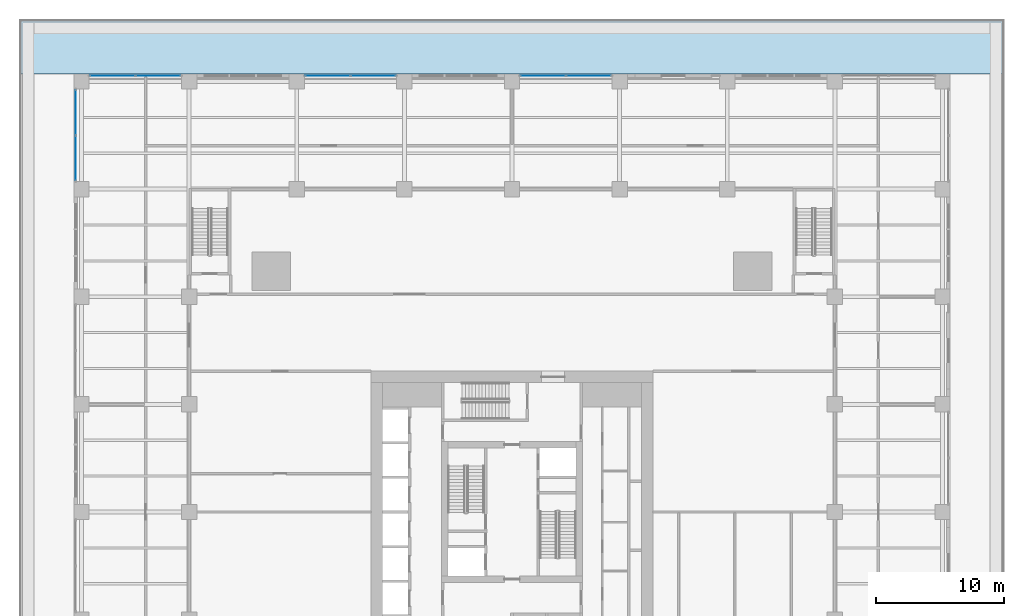
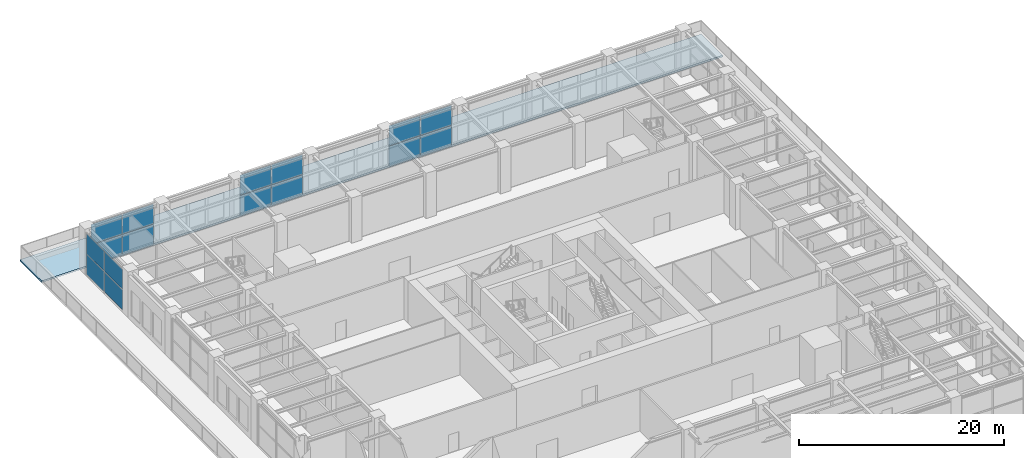
# One storey, part 20 of 36: 16 plates, 1 slab, 4 elements without a shape of their own.
"""IFC4 building model written with IfcOpenShell, lengths in metres."""

from ifc_helpers import new_model, si_unit, direction, frame, origin, origin_2d, place, context, subcontext, project, spatial, polyline, rectangle, outline, extrude, material, layer, layer_set, type_object, element, aggregate, save


model = new_model("IFC4")

# Units and contexts
model_context = context("Model", 3, precision=1e-05, world=origin(), true_north=direction((0.0, 1.0)))
body_context = subcontext(model_context, "Body", "Model", "MODEL_VIEW")
ifc_project = project(units=[si_unit("LENGTHUNIT", "METRE"), si_unit("AREAUNIT", "SQUARE_METRE"), si_unit("VOLUMEUNIT", "CUBIC_METRE"), si_unit("PLANEANGLEUNIT", "RADIAN"), si_unit("MASSUNIT", "GRAM", prefix="KILO")], contexts=[model_context])

# Site, building, storey
site_placement = place(None, origin())
site = spatial("IfcSite", under=ifc_project, at=site_placement, CompositionType="ELEMENT")
building_placement = place(site_placement, origin())
building = spatial("IfcBuilding", under=site, at=building_placement, Name="Khepri Terraces", CompositionType="ELEMENT")
storey_placement = place(building_placement, frame((0.0, 0.0, 16.800048828125)))
storey = spatial("IfcBuildingStorey", under=building, at=storey_placement, Name="L03", CompositionType="ELEMENT", Elevation=16.800048828125)

# Curtain wall, plates
ifc_material_1 = material(Name="Anodised aluminium bronze curtain wall", Category="aluminium")
curtain_wall_type = type_object("IfcCurtainWallType", Name="CW-SYS5-BALLROOM", PredefinedType="NOTDEFINED", material=ifc_material_1)
curtain_wall_1_placement = place(storey_placement, origin())
curtain_wall_1 = element("IfcCurtainWall", 1, at=curtain_wall_1_placement, inside=storey, type_object=curtain_wall_type, Name="Curtain wall CW5 L03 N", PredefinedType="NOTDEFINED")
ifc_material_2 = material(Name="Clear glass", Category="glass")
ifc_layer_1 = layer(ifc_material_2, 0.035888671875, Name="Clear glass", Category="glass")
ifc_layer_set_1 = layer_set([ifc_layer_1], Name="Clear glass")
plate_type = type_object("IfcPlateType", Name="CW-PANEL-VISION-36", PredefinedType="CURTAIN_PANEL", material=ifc_layer_set_1)
plate_1_placement = place(storey_placement, frame((5.97998046875, 34.050048828125, 0.079833984375), z_axis=(0.0, 0.0, 1.0), x_axis=(-1.0, 0.0, 0.0)))
plate_1 = element("IfcPlate", 2, at=plate_1_placement, type_object=plate_type, Name="CW5 panel 1.1", PredefinedType="CURTAIN_PANEL", context=body_context, shape_type="SweptSolid", body=[
    extrude(rectangle(XDim=3.47998046875, YDim=0.035888671875, at=origin_2d()), origin(), (0.0, 0.0, 1.0), 2.3701171875),
])
plate_2_placement = place(storey_placement, frame((5.97998046875, 34.050048828125, 2.52978515625), z_axis=(0.0, 0.0, 1.0), x_axis=(-1.0, 0.0, 0.0)))
plate_2 = element("IfcPlate", 3, at=plate_2_placement, type_object=plate_type, Name="CW5 panel 1.2", PredefinedType="CURTAIN_PANEL", context=body_context, shape_type="SweptSolid", body=[
    extrude(rectangle(XDim=3.47998046875, YDim=0.035888671875, at=origin_2d()), origin(), (0.0, 0.0, 1.0), 2.3701171875),
])
plate_3_placement = place(storey_placement, frame((2.419921875, 34.050048828125, 0.079833984375), z_axis=(0.0, 0.0, 1.0), x_axis=(-1.0, 0.0, 0.0)))
plate_3 = element("IfcPlate", 4, at=plate_3_placement, type_object=plate_type, Name="CW5 panel 2.1", PredefinedType="CURTAIN_PANEL", context=body_context, shape_type="SweptSolid", body=[
    extrude(rectangle(XDim=3.47998046875, YDim=0.035888671875, at=origin_2d()), origin(), (0.0, 0.0, 1.0), 2.3701171875),
])
plate_4_placement = place(storey_placement, frame((2.419921875, 34.050048828125, 2.52978515625), z_axis=(0.0, 0.0, 1.0), x_axis=(-1.0, 0.0, 0.0)))
plate_4 = element("IfcPlate", 5, at=plate_4_placement, type_object=plate_type, Name="CW5 panel 2.2", PredefinedType="CURTAIN_PANEL", context=body_context, shape_type="SweptSolid", body=[
    extrude(rectangle(XDim=3.47998046875, YDim=0.035888671875, at=origin_2d()), origin(), (0.0, 0.0, 1.0), 2.3701171875),
])
aggregate(curtain_wall_1, [plate_1, plate_2, plate_3, plate_4])

curtain_wall_2_placement = place(storey_placement, origin())
curtain_wall_2 = element("IfcCurtainWall", 6, at=curtain_wall_2_placement, inside=storey, type_object=curtain_wall_type, Name="Curtain wall CW5 L03 N", PredefinedType="NOTDEFINED")
plate_5_placement = place(storey_placement, frame((-10.820068359375, 34.050048828125, 0.079833984375), z_axis=(0.0, 0.0, 1.0), x_axis=(-1.0, 0.0, 0.0)))
plate_5 = element("IfcPlate", 7, at=plate_5_placement, type_object=plate_type, Name="CW5 panel 1.1", PredefinedType="CURTAIN_PANEL", context=body_context, shape_type="SweptSolid", body=[
    extrude(rectangle(XDim=3.47998046875, YDim=0.035888671875, at=origin_2d()), origin(), (0.0, 0.0, 1.0), 2.3701171875),
])
plate_6_placement = place(storey_placement, frame((-10.820068359375, 34.050048828125, 2.52978515625), z_axis=(0.0, 0.0, 1.0), x_axis=(-1.0, 0.0, 0.0)))
plate_6 = element("IfcPlate", 8, at=plate_6_placement, type_object=plate_type, Name="CW5 panel 1.2", PredefinedType="CURTAIN_PANEL", context=body_context, shape_type="SweptSolid", body=[
    extrude(rectangle(XDim=3.47998046875, YDim=0.035888671875, at=origin_2d()), origin(), (0.0, 0.0, 1.0), 2.3701171875),
])
plate_7_placement = place(storey_placement, frame((-14.3798828125, 34.050048828125, 0.079833984375), z_axis=(0.0, 0.0, 1.0), x_axis=(-1.0, 0.0, 0.0)))
plate_7 = element("IfcPlate", 9, at=plate_7_placement, type_object=plate_type, Name="CW5 panel 2.1", PredefinedType="CURTAIN_PANEL", context=body_context, shape_type="SweptSolid", body=[
    extrude(rectangle(XDim=3.47998046875, YDim=0.035888671875, at=origin_2d()), origin(), (0.0, 0.0, 1.0), 2.3701171875),
])
plate_8_placement = place(storey_placement, frame((-14.3798828125, 34.050048828125, 2.52978515625), z_axis=(0.0, 0.0, 1.0), x_axis=(-1.0, 0.0, 0.0)))
plate_8 = element("IfcPlate", 10, at=plate_8_placement, type_object=plate_type, Name="CW5 panel 2.2", PredefinedType="CURTAIN_PANEL", context=body_context, shape_type="SweptSolid", body=[
    extrude(rectangle(XDim=3.47998046875, YDim=0.035888671875, at=origin_2d()), origin(), (0.0, 0.0, 1.0), 2.3701171875),
])
aggregate(curtain_wall_2, [plate_5, plate_6, plate_7, plate_8])

curtain_wall_3_placement = place(storey_placement, origin())
curtain_wall_3 = element("IfcCurtainWall", 11, at=curtain_wall_3_placement, inside=storey, type_object=curtain_wall_type, Name="Curtain wall CW5 L03 N", PredefinedType="NOTDEFINED")
plate_9_placement = place(storey_placement, frame((-27.6201171875, 34.050048828125, 0.079833984375), z_axis=(0.0, 0.0, 1.0), x_axis=(-1.0, 0.0, 0.0)))
plate_9 = element("IfcPlate", 12, at=plate_9_placement, type_object=plate_type, Name="CW5 panel 1.1", PredefinedType="CURTAIN_PANEL", context=body_context, shape_type="SweptSolid", body=[
    extrude(rectangle(XDim=3.47998046875, YDim=0.035888671875, at=origin_2d()), origin(), (0.0, 0.0, 1.0), 2.3701171875),
])
plate_10_placement = place(storey_placement, frame((-27.6201171875, 34.050048828125, 2.52978515625), z_axis=(0.0, 0.0, 1.0), x_axis=(-1.0, 0.0, 0.0)))
plate_10 = element("IfcPlate", 13, at=plate_10_placement, type_object=plate_type, Name="CW5 panel 1.2", PredefinedType="CURTAIN_PANEL", context=body_context, shape_type="SweptSolid", body=[
    extrude(rectangle(XDim=3.47998046875, YDim=0.035888671875, at=origin_2d()), origin(), (0.0, 0.0, 1.0), 2.3701171875),
])
plate_11_placement = place(storey_placement, frame((-31.179931640625, 34.050048828125, 0.079833984375), z_axis=(0.0, 0.0, 1.0), x_axis=(-1.0, 0.0, 0.0)))
plate_11 = element("IfcPlate", 14, at=plate_11_placement, type_object=plate_type, Name="CW5 panel 2.1", PredefinedType="CURTAIN_PANEL", context=body_context, shape_type="SweptSolid", body=[
    extrude(rectangle(XDim=3.47998046875, YDim=0.035888671875, at=origin_2d()), origin(), (0.0, 0.0, 1.0), 2.3701171875),
])
plate_12_placement = place(storey_placement, frame((-31.179931640625, 34.050048828125, 2.52978515625), z_axis=(0.0, 0.0, 1.0), x_axis=(-1.0, 0.0, 0.0)))
plate_12 = element("IfcPlate", 15, at=plate_12_placement, type_object=plate_type, Name="CW5 panel 2.2", PredefinedType="CURTAIN_PANEL", context=body_context, shape_type="SweptSolid", body=[
    extrude(rectangle(XDim=3.47998046875, YDim=0.035888671875, at=origin_2d()), origin(), (0.0, 0.0, 1.0), 2.3701171875),
])
aggregate(curtain_wall_3, [plate_9, plate_10, plate_11, plate_12])

curtain_wall_4_placement = place(storey_placement, origin())
curtain_wall_4 = element("IfcCurtainWall", 16, at=curtain_wall_4_placement, inside=storey, type_object=curtain_wall_type, Name="Curtain wall CW5 L03 W", PredefinedType="NOTDEFINED")
plate_13_placement = place(storey_placement, frame((-34.050048828125, 31.179931640625, 0.079833984375), z_axis=(0.0, 0.0, 1.0), x_axis=(0.0, -1.0, 0.0)))
plate_13 = element("IfcPlate", 17, at=plate_13_placement, type_object=plate_type, Name="CW5 panel 1.1", PredefinedType="CURTAIN_PANEL", context=body_context, shape_type="SweptSolid", body=[
    extrude(rectangle(XDim=3.47998046875, YDim=0.035888671875, at=origin_2d()), origin(), (0.0, 0.0, 1.0), 2.3701171875),
])
plate_14_placement = place(storey_placement, frame((-34.050048828125, 31.179931640625, 2.52978515625), z_axis=(0.0, 0.0, 1.0), x_axis=(0.0, -1.0, 0.0)))
plate_14 = element("IfcPlate", 18, at=plate_14_placement, type_object=plate_type, Name="CW5 panel 1.2", PredefinedType="CURTAIN_PANEL", context=body_context, shape_type="SweptSolid", body=[
    extrude(rectangle(XDim=3.47998046875, YDim=0.035888671875, at=origin_2d()), origin(), (0.0, 0.0, 1.0), 2.3701171875),
])
plate_15_placement = place(storey_placement, frame((-34.050048828125, 27.6201171875, 0.079833984375), z_axis=(0.0, 0.0, 1.0), x_axis=(0.0, -1.0, 0.0)))
plate_15 = element("IfcPlate", 19, at=plate_15_placement, type_object=plate_type, Name="CW5 panel 2.1", PredefinedType="CURTAIN_PANEL", context=body_context, shape_type="SweptSolid", body=[
    extrude(rectangle(XDim=3.47998046875, YDim=0.035888671875, at=origin_2d()), origin(), (0.0, 0.0, 1.0), 2.3701171875),
])
plate_16_placement = place(storey_placement, frame((-34.050048828125, 27.6201171875, 2.52978515625), z_axis=(0.0, 0.0, 1.0), x_axis=(0.0, -1.0, 0.0)))
plate_16 = element("IfcPlate", 20, at=plate_16_placement, type_object=plate_type, Name="CW5 panel 2.2", PredefinedType="CURTAIN_PANEL", context=body_context, shape_type="SweptSolid", body=[
    extrude(rectangle(XDim=3.47998046875, YDim=0.035888671875, at=origin_2d()), origin(), (0.0, 0.0, 1.0), 2.3701171875),
])
aggregate(curtain_wall_4, [plate_13, plate_14, plate_15, plate_16])

# Slab
ifc_material_3 = material(Name="Concrete C35/45", Category="concrete")
ifc_layer_2 = layer(ifc_material_3, 0.199951171875, Name="Concrete C35/45", Category="concrete")
ifc_layer_set_2 = layer_set([ifc_layer_2], Name="Concrete C35/45")
slab_type = type_object("IfcSlabType", Name="Composite terrace slab 200", PredefinedType="ROOF", material=ifc_layer_set_2)
slab_placement = place(storey_placement, frame((0.0, 0.0, -0.199951171875)))
element("IfcSlab", 21, at=slab_placement, inside=storey, type_object=slab_type, Name="Terrace slab L03-podium-2", PredefinedType="ROOF", context=body_context, shape_type="SweptSolid", body=[
    extrude(outline(polyline([(38.39990234375, 38.39990234375), (38.39990234375, 34.199951171875), (34.199951171875, 34.199951171875), (-34.199951171875, 34.199951171875), (-38.39990234375, 34.199951171875), (-38.39990234375, 38.39990234375), (38.39990234375, 38.39990234375)])), origin(), (0.0, 0.0, 1.0), 0.199951171875),
])

save(model, "model.ifc")
